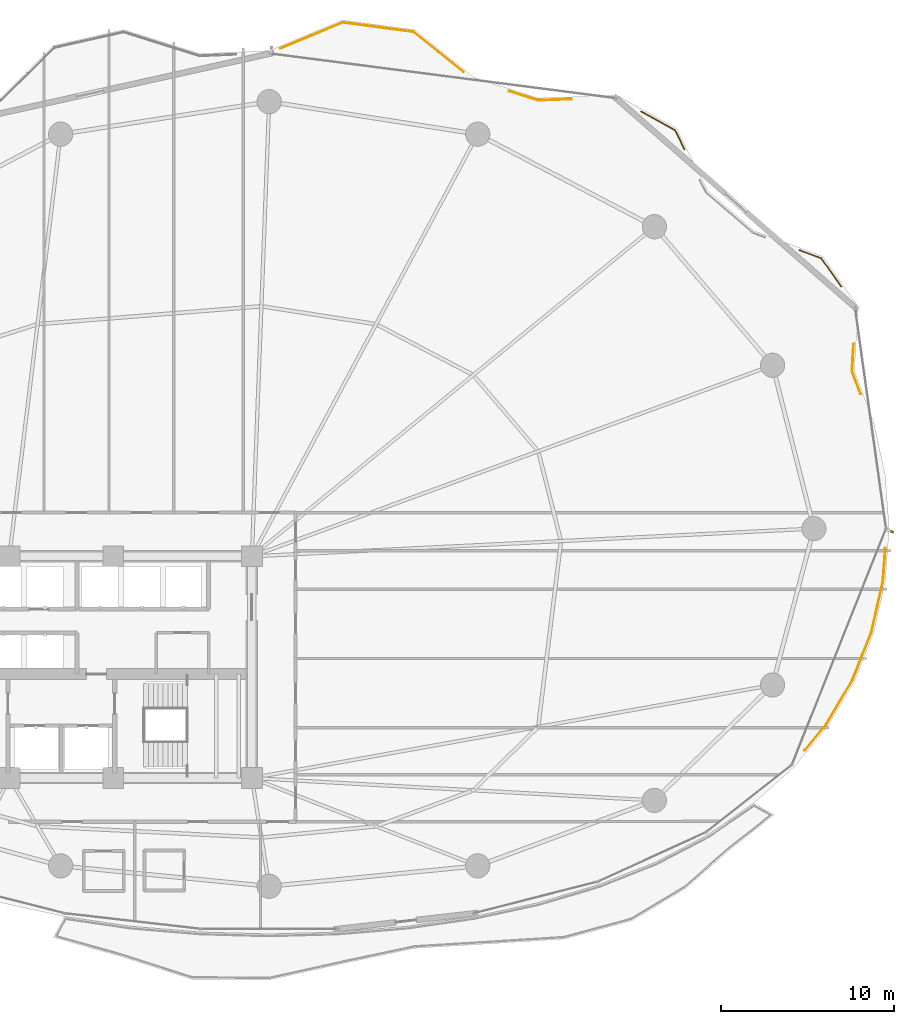
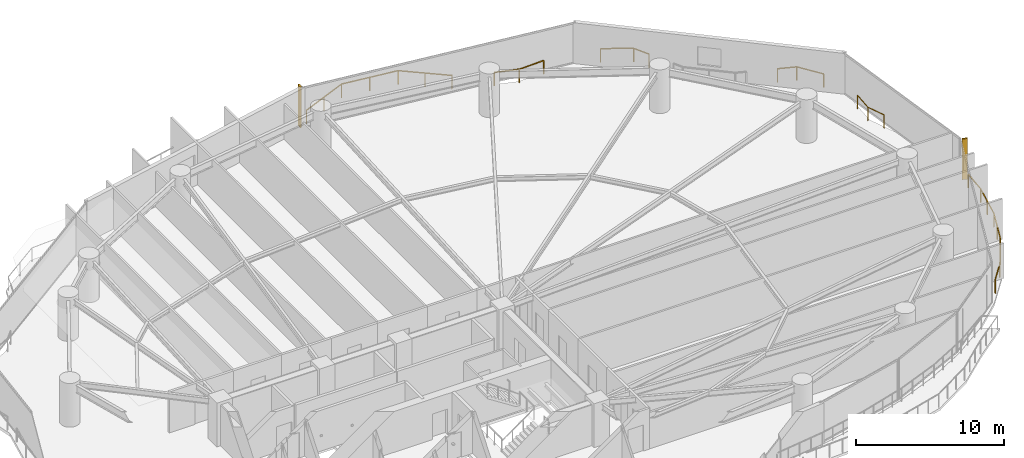
# One storey, part 32 of 32: 6 railings, 2 shading devices.
"""IFC4 building model written with IfcOpenShell, lengths in metres."""

from ifc_helpers import new_model, si_unit, direction, frame, origin, origin_2d, place, context, subcontext, project, spatial, rectangle, extrude, material, type_object, element, save


model = new_model("IFC4")

# Units and contexts
model_context = context("Model", 3, precision=1e-05, world=origin(), true_north=direction((0.0, 1.0)))
body_context = subcontext(model_context, "Body", "Model", "MODEL_VIEW")
ifc_project = project(units=[si_unit("LENGTHUNIT", "METRE"), si_unit("AREAUNIT", "SQUARE_METRE"), si_unit("VOLUMEUNIT", "CUBIC_METRE"), si_unit("PLANEANGLEUNIT", "RADIAN"), si_unit("MASSUNIT", "GRAM", prefix="KILO")], contexts=[model_context])

# Site, building, storey
site_placement = place(None, origin())
site = spatial("IfcSite", under=ifc_project, at=site_placement, CompositionType="ELEMENT")
building_placement = place(site_placement, origin())
building = spatial("IfcBuilding", under=site, at=building_placement, Name="Kazevale Care Tower and Concert Hall", CompositionType="ELEMENT")
storey_placement = place(building_placement, frame((0.0, 0.0, 38.39990234375)))
storey = spatial("IfcBuildingStorey", under=building, at=storey_placement, Name="L09", CompositionType="ELEMENT", Elevation=38.39990234375)

# Railings
ifc_material_1 = material(Name="Anodised Bronze Aluminium and Laminated Glass", Category="aluminium")
railing_type = type_object("IfcRailingType", Name="Balcony and Terrace Balustrade 1120", PredefinedType="BALUSTRADE", material=ifc_material_1)
railing_1_placement = place(storey_placement, frame((45.662109375, 65.72509765625, 0.0)))
element("IfcRailing", 1, at=railing_1_placement, inside=storey, type_object=railing_type, Name="rail:L09:perim:6", PredefinedType="BALUSTRADE", context=body_context, shape_type="SweptSolid", body=[
    extrude(rectangle(XDim=0.048095703125, YDim=0.048095703125, at=origin_2d()), frame((0.0, 0.0, 1.09619140625), z_axis=(0.922935495633, 0.384954634861, 0.0), x_axis=(-0.384954634861, 0.922935495633, 0.0)), (0.0, 0.0, 1.0), 3.88330078125),
    extrude(rectangle(XDim=0.048095703125, YDim=0.048095703125, at=origin_2d()), frame((3.583984375, 1.494873046875, 1.09619140625), z_axis=(0.991270154013, -0.131846432499, 0.0), x_axis=(0.131846432499, 0.991270154013, 0.0)), (0.0, 0.0, 1.0), 4.133056640625),
    extrude(rectangle(XDim=0.048095703125, YDim=0.048095703125, at=origin_2d()), frame((7.680908203125, 0.949951171875, 1.09619140625), z_axis=(0.778836557987, -0.627226925397, 0.0), x_axis=(0.627226925397, 0.778836557987, 0.0)), (0.0, 0.0, 1.0), 3.687744140625),
    extrude(rectangle(XDim=0.0419921875, YDim=0.0419921875, at=origin_2d()), origin(), (0.0, 0.0, 1.0), 1.072021484375),
    extrude(rectangle(XDim=0.0419921875, YDim=0.0419921875, at=origin_2d()), frame((1.7919921875, 0.74755859375, 0.0)), (0.0, 0.0, 1.0), 1.072021484375),
    extrude(rectangle(XDim=0.0419921875, YDim=0.0419921875, at=origin_2d()), frame((3.583984375, 1.494873046875, 0.0)), (0.0, 0.0, 1.0), 1.072021484375),
    extrude(rectangle(XDim=0.0419921875, YDim=0.0419921875, at=origin_2d()), frame((5.63232421875, 1.222412109375, 0.0)), (0.0, 0.0, 1.0), 1.072021484375),
    extrude(rectangle(XDim=0.0419921875, YDim=0.0419921875, at=origin_2d()), frame((7.680908203125, 0.949951171875, 0.0)), (0.0, 0.0, 1.0), 1.072021484375),
    extrude(rectangle(XDim=0.0419921875, YDim=0.0419921875, at=origin_2d()), frame((9.116943359375, -0.20654296875, 0.0)), (0.0, 0.0, 1.0), 1.072021484375),
    extrude(rectangle(XDim=0.0419921875, YDim=0.0419921875, at=origin_2d()), frame((10.552978515625, -1.363037109375, 0.0)), (0.0, 0.0, 1.0), 1.072021484375),
])
railing_2_placement = place(storey_placement, frame((58.860107421875, 63.25390625, 0.0)))
element("IfcRailing", 2, at=railing_2_placement, inside=storey, type_object=railing_type, Name="rail:L09:perim:7", PredefinedType="BALUSTRADE", context=body_context, shape_type="SweptSolid", body=[
    extrude(rectangle(XDim=0.048095703125, YDim=0.048095703125, at=origin_2d()), frame((0.0, 0.0, 1.09619140625), z_axis=(0.952655744415, -0.304051036231, 0.0), x_axis=(0.304051036231, 0.952655744415, 0.0)), (0.0, 0.0, 1.0), 1.736083984375),
    extrude(rectangle(XDim=0.048095703125, YDim=0.048095703125, at=origin_2d()), frame((1.65380859375, -0.52783203125, 1.09619140625), z_axis=(0.999433903687, 0.033643307818, 0.0), x_axis=(-0.033643307818, 0.999433903687, 0.0)), (0.0, 0.0, 1.0), 1.93017578125),
    extrude(rectangle(XDim=0.0419921875, YDim=0.0419921875, at=origin_2d()), origin(), (0.0, 0.0, 1.0), 1.072021484375),
    extrude(rectangle(XDim=0.0419921875, YDim=0.0419921875, at=origin_2d()), frame((1.65380859375, -0.52783203125, 0.0)), (0.0, 0.0, 1.0), 1.072021484375),
    extrude(rectangle(XDim=0.0419921875, YDim=0.0419921875, at=origin_2d()), frame((3.5830078125, -0.462890625, 0.0)), (0.0, 0.0, 1.0), 1.072021484375),
])
railing_3_placement = place(storey_placement, frame((66.472900390625, 62.089111328125, 0.0)))
element("IfcRailing", 3, at=railing_3_placement, inside=storey, type_object=railing_type, Name="rail:L09:perim:8", PredefinedType="BALUSTRADE", context=body_context, shape_type="SweptSolid", body=[
    extrude(rectangle(XDim=0.048095703125, YDim=0.048095703125, at=origin_2d()), frame((0.0, 0.0, 1.09619140625), z_axis=(0.874275517838, -0.485430035029, 0.0), x_axis=(0.485430035029, 0.874275517838, 0.0)), (0.0, 0.0, 1.0), 2.239501953125),
    extrude(rectangle(XDim=0.048095703125, YDim=0.048095703125, at=origin_2d()), frame((1.9580078125, -1.087158203125, 1.09619140625), z_axis=(0.444046102308, -0.896003939179, 0.0), x_axis=(0.896003939179, 0.444046102308, 0.0)), (0.0, 0.0, 1.0), 1.234375),
    extrude(rectangle(XDim=0.0419921875, YDim=0.0419921875, at=origin_2d()), origin(), (0.0, 0.0, 1.0), 1.072021484375),
    extrude(rectangle(XDim=0.0419921875, YDim=0.0419921875, at=origin_2d()), frame((1.9580078125, -1.087158203125, 0.0)), (0.0, 0.0, 1.0), 1.072021484375),
    extrude(rectangle(XDim=0.0419921875, YDim=0.0419921875, at=origin_2d()), frame((2.506103515625, -2.193115234375, 0.0)), (0.0, 0.0, 1.0), 1.072021484375),
])
railing_4_placement = place(storey_placement, frame((75.635009765625, 54.069091796875, 0.0)))
element("IfcRailing", 4, at=railing_4_placement, inside=storey, type_object=railing_type, Name="rail:L09:perim:10", PredefinedType="BALUSTRADE", context=body_context, shape_type="SweptSolid", body=[
    extrude(rectangle(XDim=0.048095703125, YDim=0.048095703125, at=origin_2d()), frame((0.0, 0.0, 1.09619140625), z_axis=(0.936458028314, -0.35077964765, 0.0), x_axis=(0.35077964765, 0.936458028314, 0.0)), (0.0, 0.0, 1.0), 1.322998046875),
    extrude(rectangle(XDim=0.048095703125, YDim=0.048095703125, at=origin_2d()), frame((1.239013671875, -0.464111328125, 1.09619140625), z_axis=(0.576750616528, -0.816920269264, 0.0), x_axis=(0.816920269264, 0.576750616528, 0.0)), (0.0, 0.0, 1.0), 1.990478515625),
    extrude(rectangle(XDim=0.0419921875, YDim=0.0419921875, at=origin_2d()), origin(), (0.0, 0.0, 1.0), 1.072021484375),
    extrude(rectangle(XDim=0.0419921875, YDim=0.0419921875, at=origin_2d()), frame((1.239013671875, -0.464111328125, 0.0)), (0.0, 0.0, 1.0), 1.072021484375),
    extrude(rectangle(XDim=0.0419921875, YDim=0.0419921875, at=origin_2d()), frame((2.386962890625, -2.090087890625, 0.0)), (0.0, 0.0, 1.0), 1.072021484375),
])
railing_5_placement = place(storey_placement, frame((80.575927734375, 36.864990234375, 0.0)))
element("IfcRailing", 5, at=railing_5_placement, inside=storey, type_object=railing_type, Name="rail:L09:perim:11", PredefinedType="BALUSTRADE", context=body_context, shape_type="SweptSolid", body=[
    extrude(rectangle(XDim=0.048095703125, YDim=0.048095703125, at=origin_2d()), frame((0.0, 0.0, 1.09619140625), z_axis=(-0.072929321708, -0.99733711153, 0.0), x_axis=(0.99733711153, -0.072929321708, 0.0)), (0.0, 0.0, 1.0), 1.918212890625),
    extrude(rectangle(XDim=0.048095703125, YDim=0.048095703125, at=origin_2d()), frame((-0.139892578125, -1.9130859375, 1.09619140625), z_axis=(-0.22169815306, -0.975115341347, 0.0), x_axis=(0.975115341347, -0.22169815306, 0.0)), (0.0, 0.0, 1.0), 3.012939453125),
    extrude(rectangle(XDim=0.048095703125, YDim=0.048095703125, at=origin_2d()), frame((-0.807861328125, -4.85107421875, 1.09619140625), z_axis=(-0.369500413357, -0.92923056586, 0.0), x_axis=(0.92923056586, -0.369500413357, 0.0)), (0.0, 0.0, 1.0), 2.985107421875),
    extrude(rectangle(XDim=0.048095703125, YDim=0.048095703125, at=origin_2d()), frame((-1.910888671875, -7.625, 1.09619140625), z_axis=(-0.510655847211, -0.859785209055, 0.0), x_axis=(0.859785209055, -0.510655847211, 0.0)), (0.0, 0.0, 1.0), 2.986572265625),
    extrude(rectangle(XDim=0.048095703125, YDim=0.048095703125, at=origin_2d()), frame((-3.43603515625, -10.19287109375, 1.09619140625), z_axis=(-0.636478085384, -0.771294785945, 0.0), x_axis=(0.771294785945, -0.636478085384, 0.0)), (0.0, 0.0, 1.0), 1.90869140625),
    extrude(rectangle(XDim=0.0419921875, YDim=0.0419921875, at=origin_2d()), origin(), (0.0, 0.0, 1.0), 1.072021484375),
    extrude(rectangle(XDim=0.0419921875, YDim=0.0419921875, at=origin_2d()), frame((-0.139892578125, -1.9130859375, 0.0)), (0.0, 0.0, 1.0), 1.072021484375),
    extrude(rectangle(XDim=0.0419921875, YDim=0.0419921875, at=origin_2d()), frame((-0.473876953125, -3.382080078125, 0.0)), (0.0, 0.0, 1.0), 1.072021484375),
    extrude(rectangle(XDim=0.0419921875, YDim=0.0419921875, at=origin_2d()), frame((-0.807861328125, -4.85107421875, 0.0)), (0.0, 0.0, 1.0), 1.072021484375),
    extrude(rectangle(XDim=0.0419921875, YDim=0.0419921875, at=origin_2d()), frame((-1.359375, -6.238037109375, 0.0)), (0.0, 0.0, 1.0), 1.072021484375),
    extrude(rectangle(XDim=0.0419921875, YDim=0.0419921875, at=origin_2d()), frame((-1.910888671875, -7.625, 0.0)), (0.0, 0.0, 1.0), 1.072021484375),
    extrude(rectangle(XDim=0.0419921875, YDim=0.0419921875, at=origin_2d()), frame((-2.67333984375, -8.908935546875, 0.0)), (0.0, 0.0, 1.0), 1.072021484375),
    extrude(rectangle(XDim=0.0419921875, YDim=0.0419921875, at=origin_2d()), frame((-3.43603515625, -10.19287109375, 0.0)), (0.0, 0.0, 1.0), 1.072021484375),
    extrude(rectangle(XDim=0.0419921875, YDim=0.0419921875, at=origin_2d()), frame((-4.65087890625, -11.6650390625, 0.0)), (0.0, 0.0, 1.0), 1.072021484375),
])
railing_6_placement = place(storey_placement, frame((78.741943359375, 48.64794921875, 0.0)))
element("IfcRailing", 6, at=railing_6_placement, inside=storey, type_object=railing_type, Name="rail:L09:perim:12", PredefinedType="BALUSTRADE", context=body_context, shape_type="SweptSolid", body=[
    extrude(rectangle(XDim=0.048095703125, YDim=0.048095703125, at=origin_2d()), frame((0.0, 0.0, 1.09619140625), z_axis=(-0.059751650803, -0.998213273918, 0.0), x_axis=(0.998213273918, -0.059751650803, 0.0)), (0.0, 0.0, 1.0), 1.556640625),
    extrude(rectangle(XDim=0.048095703125, YDim=0.048095703125, at=origin_2d()), frame((-0.093017578125, -1.553955078125, 1.09619140625), z_axis=(0.350671286185, -0.936498611342, 0.0), x_axis=(0.936498611342, 0.350671286185, 0.0)), (0.0, 0.0, 1.0), 1.420166015625),
    extrude(rectangle(XDim=0.0419921875, YDim=0.0419921875, at=origin_2d()), origin(), (0.0, 0.0, 1.0), 1.072021484375),
    extrude(rectangle(XDim=0.0419921875, YDim=0.0419921875, at=origin_2d()), frame((-0.093017578125, -1.553955078125, 0.0)), (0.0, 0.0, 1.0), 1.072021484375),
    extrude(rectangle(XDim=0.0419921875, YDim=0.0419921875, at=origin_2d()), frame((0.405029296875, -2.884033203125, 0.0)), (0.0, 0.0, 1.0), 1.072021484375),
])

# Shading devices
ifc_material_2 = material(Name="Honed Ochre Limestone", Category="masonry")
shading_device_type = type_object("IfcShadingDeviceType", Name="Vertical Honed Limestone Fin FIN-01", PredefinedType="USERDEFINED", material=ifc_material_2)
for number, where, z_axis, x_axis, name in (
    (7, (80.861572265625, 37.860595703125, 0.0), (0.0, 0.0, 1.0), (0.928874213199, -0.370395324019, 0.0), "cw:L09:f01:fin"),
    (8, (45.110595703125, 65.676025390625, 0.0), (0.0, 0.0, 1.0), (0.128103248172, 0.991760837, 0.0), "cw:L09:f16:fin"),
):
    element("IfcShadingDevice", number, at=place(storey_placement, frame(where, z_axis=z_axis, x_axis=x_axis)), inside=storey, type_object=shading_device_type, Name=name, ObjectType="FIN", PredefinedType="USERDEFINED", context=body_context, shape_type="SweptSolid", body=[
        extrude(rectangle(XDim=0.3798828125, YDim=0.1201171875, at=origin_2d()), origin(), (0.0, 0.0, 1.0), 3.360107421875),
    ])

save(model, "model.ifc")
